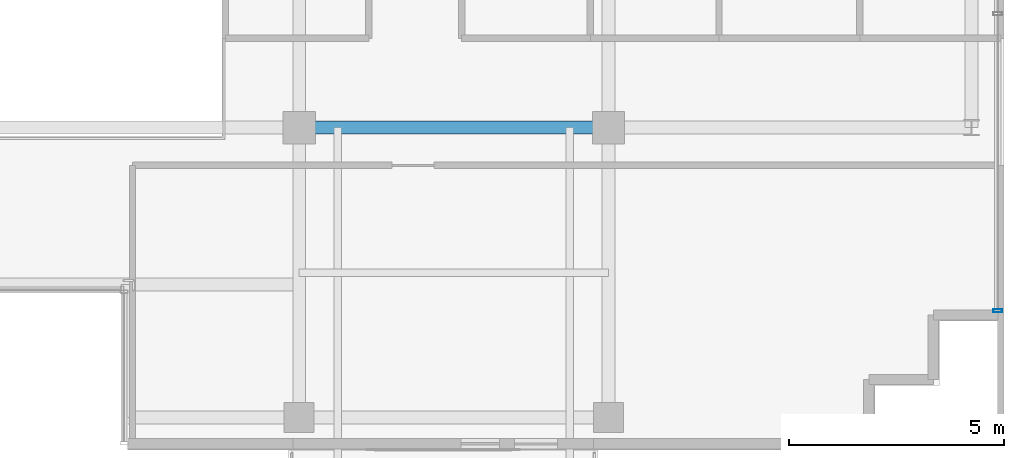
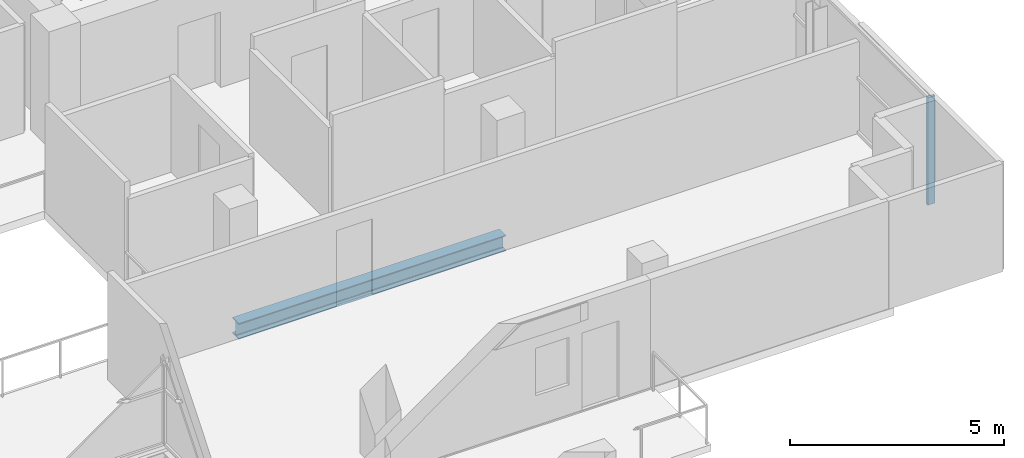
# One storey, part 7 of 21: 1 beam, 1 member, 1 element without a shape of its own.
"""IFC4 building model written with IfcOpenShell, lengths in metres."""

from ifc_helpers import new_model, si_unit, direction, frame, origin, origin_2d, place, context, subcontext, project, spatial, hollow_rectangle, i_section, extrude, source, transform, mapped, material, layer, layer_set, material_profile, profile_set, type_object, element, aggregate, save


model = new_model("IFC4")

# Units and contexts
model_context = context("Model", 3, precision=1e-05, world=origin(), true_north=direction((0.0, 1.0)))
body_context = subcontext(model_context, "Body", "Model", "MODEL_VIEW")
ifc_project = project(units=[si_unit("LENGTHUNIT", "METRE"), si_unit("AREAUNIT", "SQUARE_METRE"), si_unit("VOLUMEUNIT", "CUBIC_METRE"), si_unit("PLANEANGLEUNIT", "RADIAN"), si_unit("MASSUNIT", "GRAM", prefix="KILO")], contexts=[model_context])

# Site, building, storey
site_placement = place(None, origin())
site = spatial("IfcSite", under=ifc_project, at=site_placement, CompositionType="ELEMENT")
building_placement = place(site_placement, origin())
building = spatial("IfcBuilding", under=site, at=building_placement, Name="Zarnakvel Exchange Tower", CompositionType="ELEMENT")
storey_placement = place(building_placement, frame((0.0, 0.0, 255.10009765625)))
storey = spatial("IfcBuildingStorey", under=building, at=storey_placement, Name="L72", CompositionType="ELEMENT", Elevation=255.10009765625)

# Beam
ifc_material_1 = material(Name="Steel S355", Category="steel")
ifc_material_profile_1 = material_profile(ifc_material_1, i_section(OverallWidth=0.300048828125, OverallDepth=0.449951171875, WebThickness=0.013916015625, FlangeThickness=0.02587890625, FilletRadius=0.027099609375, at=origin_2d()))
ifc_profile_set_1 = profile_set([ifc_material_profile_1], Name="Steel S355")
beam_type = type_object("IfcBeamType", Name="G-07", PredefinedType="BEAM", material=ifc_profile_set_1)
beam_placement = place(storey_placement, frame((7.199951171875, -9.60009765625, -0.4501953125), z_axis=(1.0, 0.0, 0.0), x_axis=(0.0, 1.0, 0.0)))
element("IfcBeam", 1, at=beam_placement, inside=storey, type_object=beam_type, Name="L72 Tower E-W Frame Beam", PredefinedType="BEAM", context=body_context, shape_type="SweptSolid", body=[
    extrude(i_section(OverallWidth=0.300048828125, OverallDepth=0.449951171875, WebThickness=0.013916015625, FlangeThickness=0.02587890625, FilletRadius=0.027099609375, at=origin_2d()), origin(), (0.0, 0.0, 1.0), 7.199951171875),
])

# Curtain wall, member
ifc_material_2 = material(Name="Architectural Bronze Anodised Aluminium", Category="aluminium")
ifc_layer = layer(ifc_material_2, 0.199951171875)
ifc_layer_set = layer_set([ifc_layer], Name="Architectural Bronze Anodised Aluminium")
curtain_wall_type = type_object("IfcCurtainWallType", Name="CW-04", PredefinedType="NOTDEFINED", material=ifc_layer_set)
curtain_wall_placement = place(storey_placement, origin())
curtain_wall = element("IfcCurtainWall", 2, at=curtain_wall_placement, inside=storey, type_object=curtain_wall_type, Name="L72 Curtain Wall CW-L72-E1 (CW-04)", PredefinedType="NOTDEFINED")
ifc_material_profile_2 = material_profile(ifc_material_2, hollow_rectangle(XDim=0.199951171875, YDim=0.074951171875, WallThickness=0.0048828125, at=origin_2d()))
ifc_profile_set_2 = profile_set([ifc_material_profile_2], Name="Architectural Bronze Anodised Aluminium")
member_type = type_object("IfcMemberType", Name="CWM-04", PredefinedType="MULLION", material=ifc_profile_set_2)
shared_shape = source(origin(), body_context, "Body", "SweptSolid", [
    extrude(hollow_rectangle(XDim=0.199951171875, YDim=0.074951171875, WallThickness=0.0048828125, at=origin_2d()), origin(), (0.0, 0.0, 1.0), 3.054931640625),
])
member_placement = place(storey_placement, frame((23.4599609375, -13.862548828125, 0.0), z_axis=(0.0, 0.0, 1.0), x_axis=(-1.0, 0.0, 0.0)))
member = element("IfcMember", 3, at=member_placement, type_object=member_type, Name="CW-04 mullion 1", PredefinedType="MULLION", context=body_context, shape_type="MappedRepresentation", body=[
    mapped(shared_shape, transform((0.0, 0.0, 0.0), x_axis=(1.0, 0.0, 0.0), y_axis=(0.0, 1.0, 0.0), z_axis=(0.0, 0.0, 1.0), scale=1.0)),
])
aggregate(curtain_wall, [member])

save(model, "model.ifc")
